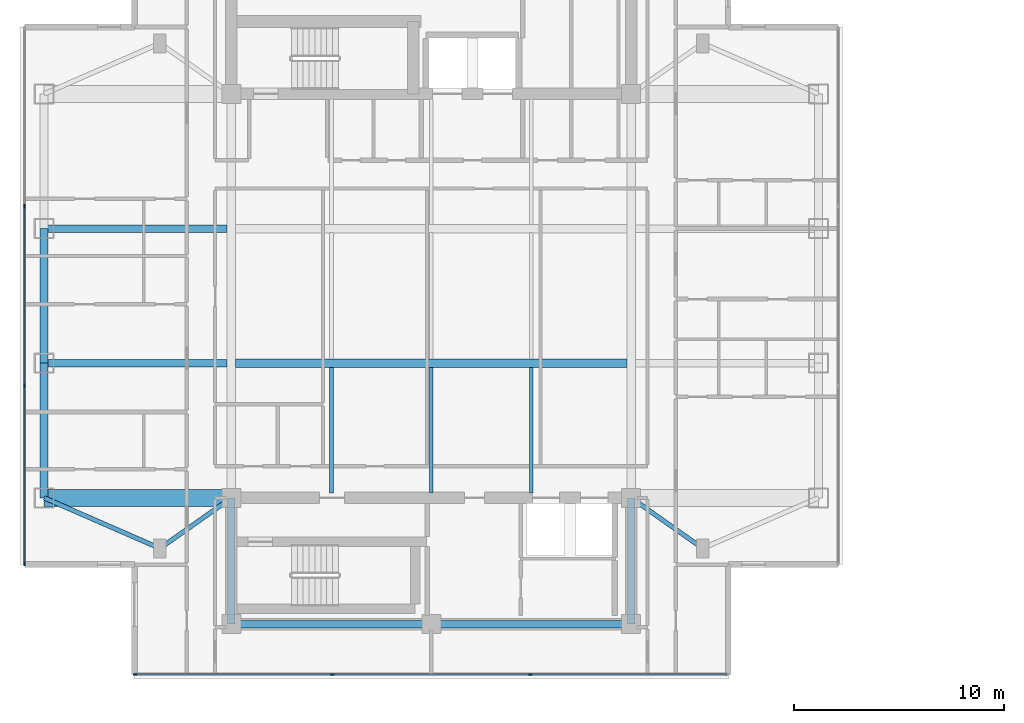
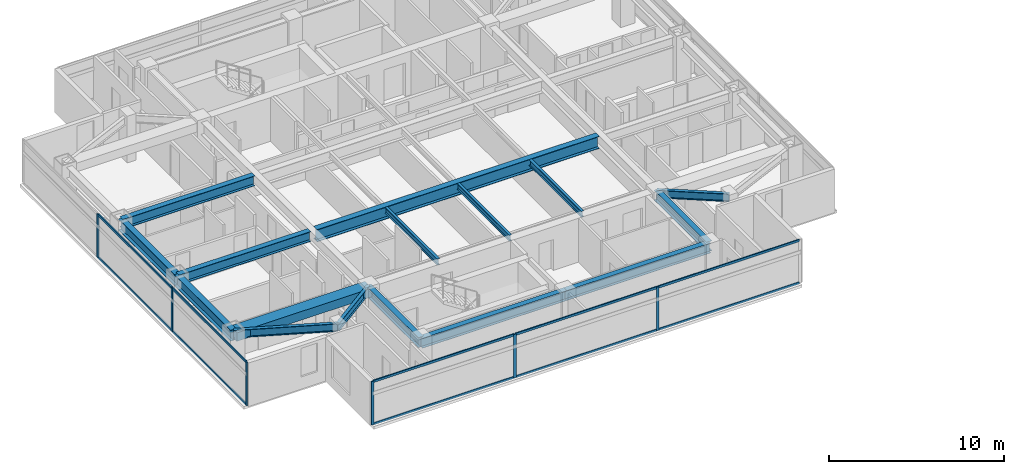
# One storey, part 2 of 23: 16 beams, 16 members, 2 elements without a shape of their own.
"""IFC4 building model written with IfcOpenShell, lengths in metres."""

import ifcopenshell
import ifcopenshell.guid

model = None  # the IFC model being written
_history = None  # IfcOwnerHistory: only IFC2X3 demands one
_inside = {}  # id of a spatial element -> (the spatial element, [elements in it])
_under = {}  # id of a project, library or spatial element -> (it, [spatial elements below it])
_declared = {}  # id of a project -> (the project, [libraries it declares])
_typed = {}  # id of a type object -> (the type object, [elements of that type])
_made_of = {}  # id of a material, layer set ... -> (it, [elements and type objects made of it])


def new_model(schema):
    """Start an empty IFC model of exactly this schema.

    Asked for "IFC4X3", IfcOpenShell would pick the latest addendum, in which some entities
    have other attributes; the version numbers below select the first issue.
    IFC2X3 requires an IfcOwnerHistory on every rooted entity: one is made here for all.
    """
    global model, _history
    if schema == "IFC4X3":
        model = ifcopenshell.file(schema_version=(4, 3, 0, 0))
    else:
        model = ifcopenshell.file(schema=schema)
    _inside.clear()
    _under.clear()
    _declared.clear()
    _typed.clear()
    _made_of.clear()
    _history = None
    if model.schema == "IFC2X3":
        org = make("IfcOrganization", Name="unknown")
        user = make(
            "IfcPersonAndOrganization",
            ThePerson=make("IfcPerson", FamilyName="unknown"),
            TheOrganization=org,
        )
        app = make(
            "IfcApplication",
            ApplicationDeveloper=org,
            Version="unknown",
            ApplicationFullName="unknown",
            ApplicationIdentifier="unknown",
        )
        _history = make(
            "IfcOwnerHistory",
            OwningUser=user,
            OwningApplication=app,
            ChangeAction="ADDED",
            CreationDate=0,
        )
    return model


def make(cls, **values):
    """One entity of the class cls with the attributes given. An attribute that is None is left unset."""
    return model.create_entity(
        cls, **{name: value for name, value in values.items() if value is not None}
    )


def rooted(cls, **values):
    """An entity with a GlobalId (a new one), such as an element, a storey or a relation."""
    return make(cls, GlobalId=ifcopenshell.guid.new(), OwnerHistory=_history, **values)


def si_unit(unit_type, name, prefix=None):
    """IfcSIUnit, for example si_unit("LENGTHUNIT", "METRE", prefix="MILLI")."""
    return make("IfcSIUnit", UnitType=unit_type, Prefix=prefix, Name=name)


def assignment(units):
    """IfcUnitAssignment: the units of a project."""
    return None if units is None else make("IfcUnitAssignment", Units=units)


def point(xyz):
    """IfcCartesianPoint."""
    return None if xyz is None else make("IfcCartesianPoint", Coordinates=xyz)


def direction(xyz):
    """IfcDirection."""
    return None if xyz is None else make("IfcDirection", DirectionRatios=xyz)


def frame(location, z_axis=None, x_axis=None):
    """IfcAxis2Placement3D, a coordinate frame: its origin and axes. An axis left out is left unset."""
    return make(
        "IfcAxis2Placement3D",
        Location=point(location),
        Axis=direction(z_axis),
        RefDirection=direction(x_axis),
    )


def frame_2d(location, x_axis=None):
    """IfcAxis2Placement2D, a coordinate frame in the plane: its origin and x axis."""
    return make(
        "IfcAxis2Placement2D", Location=point(location), RefDirection=direction(x_axis)
    )


def origin():
    """The frame at (0, 0, 0) with its axes left unset."""
    return frame((0.0, 0.0, 0.0))


def origin_2d():
    """The frame at (0, 0) in the plane with its x axis left unset."""
    return frame_2d((0.0, 0.0))


def place(relative_to, where):
    """IfcLocalPlacement: puts the frame where relative to a parent placement (None: the world)."""
    return make(
        "IfcLocalPlacement", PlacementRelTo=relative_to, RelativePlacement=where
    )


def context(
    kind, dimensions, precision=None, world=None, true_north=None, identifier=None
):
    """IfcGeometricRepresentationContext, for example the 3D "Model" context."""
    return make(
        "IfcGeometricRepresentationContext",
        ContextIdentifier=identifier,
        ContextType=kind,
        CoordinateSpaceDimension=dimensions,
        Precision=precision,
        WorldCoordinateSystem=world,
        TrueNorth=true_north,
    )


def subcontext(parent, identifier, kind, view, scale=None):
    """IfcGeometricRepresentationSubContext, for example "Body" below "Model"."""
    return make(
        "IfcGeometricRepresentationSubContext",
        ContextIdentifier=identifier,
        ContextType=kind,
        ParentContext=parent,
        TargetScale=scale,
        TargetView=view,
    )


def project(units=None, contexts=None):
    """IfcProject with its units and contexts."""
    return rooted(
        "IfcProject",
        Name="project",
        RepresentationContexts=contexts,
        UnitsInContext=assignment(units),
    )


def spatial(cls, under=None, at=None, **own):
    """A site, building, storey or space (cls), placed at a placement, below another one or the project."""
    s = rooted(cls, ObjectPlacement=at, **own)
    if under is not None:
        _under.setdefault(under.id(), (under, []))[1].append(s)
    return s


def profile(cls, at=None, kind="AREA", **sizes):
    """A parametric profile (cls). Its sizes go by their IFC names, for example OverallWidth=200.0."""
    return make(cls, ProfileType=kind, Position=at, **sizes)


def rectangle(**sizes):
    """IfcRectangleProfileDef."""
    return profile("IfcRectangleProfileDef", **sizes)


def i_section(**sizes):
    """IfcIShapeProfileDef."""
    return profile("IfcIShapeProfileDef", **sizes)


def extrude(swept, where, along, depth):
    """IfcExtrudedAreaSolid: the profile swept, set in the frame where, extruded along a direction by depth."""
    return make(
        "IfcExtrudedAreaSolid",
        SweptArea=swept,
        Position=where,
        ExtrudedDirection=direction(along),
        Depth=depth,
    )


def shape(context_of_items, identifier, shape_type, items):
    """IfcShapeRepresentation: the items that make up one representation, for example the "Body"."""
    return make(
        "IfcShapeRepresentation",
        ContextOfItems=context_of_items,
        RepresentationIdentifier=identifier,
        RepresentationType=shape_type,
        Items=items,
    )


def material(Name=None, Category=None):
    """IfcMaterial."""
    return make("IfcMaterial", Name=Name, Category=Category)


def material_profile(
    of_material, cross_section, Name=None, Category=None, Priority=None
):
    """IfcMaterialProfile: a cross section and its material."""
    return make(
        "IfcMaterialProfile",
        Name=Name,
        Material=of_material,
        Profile=cross_section,
        Priority=Priority,
        Category=Category,
    )


def profile_set(profiles, Name=None, composite=None):
    """IfcMaterialProfileSet."""
    return make(
        "IfcMaterialProfileSet",
        Name=Name,
        MaterialProfiles=profiles,
        CompositeProfile=composite,
    )


def made_of(thing, what):
    """Note that an element or type object is made of a material, layer set ...; save() writes the relation."""
    if what is not None:
        _made_of.setdefault(what.id(), (what, []))[1].append(thing)
    return thing


def type_object(cls, material=None, **own):
    """A type object (cls), such as IfcWallType, which elements share."""
    return made_of(rooted(cls, **own), material)


def element(
    cls,
    number,
    at=None,
    inside=None,
    cuts=None,
    type_object=None,
    material=None,
    context=None,
    identifier="Body",
    shape_type=None,
    held_by="IfcProductDefinitionShape",
    body=None,
    shapes=None,
    **own,
):
    """One element of the class cls, such as IfcWall. Its Tag is "e" and its number.

    at: its placement. inside: the storey or other place that contains it. cuts: it is an
    opening in that element (IfcRelVoidsElement). A single representation is given by context,
    identifier, shape_type and body (its items); several are given by shapes. held_by: the class
    of the entity that holds the representations. save() writes the other relations.
    """
    e = rooted(cls, Tag="e%d" % number, ObjectPlacement=at, **own)
    if body is not None:
        shapes = [shape(context, identifier, shape_type, body)]
    if shapes is not None:
        e.Representation = make(held_by, Representations=shapes)
    if inside is not None:
        _inside.setdefault(inside.id(), (inside, []))[1].append(e)
    if cuts is not None:
        rooted(
            "IfcRelVoidsElement", RelatingBuildingElement=cuts, RelatedOpeningElement=e
        )
    if type_object is not None:
        _typed.setdefault(type_object.id(), (type_object, []))[1].append(e)
    return made_of(e, material)


def aggregate(whole, parts):
    """IfcRelAggregates: a whole, such as a stair, and the parts it consists of."""
    return rooted("IfcRelAggregates", RelatingObject=whole, RelatedObjects=parts)


def save(model, path):
    """Write the relations noted so far, then the file.

    IfcRelAggregates (storeys below a building ...), IfcRelContainedInSpatialStructure (elements
    in a storey), IfcRelDefinesByType, IfcRelAssociatesMaterial and IfcRelDeclares: one each for
    every whole, place, type object, material and project.
    """
    for whole, parts in _under.values():
        aggregate(whole, parts)
    for where, things in _inside.values():
        rooted(
            "IfcRelContainedInSpatialStructure",
            RelatedElements=things,
            RelatingStructure=where,
        )
    for kind, things in _typed.values():
        rooted("IfcRelDefinesByType", RelatedObjects=things, RelatingType=kind)
    for what, things in _made_of.values():
        rooted("IfcRelAssociatesMaterial", RelatedObjects=things, RelatingMaterial=what)
    for by, libraries in _declared.values():
        rooted("IfcRelDeclares", RelatingContext=by, RelatedDefinitions=libraries)
    model.write(path)


model = new_model("IFC4")

# Units and contexts
model_context = context("Model", 3, precision=1e-05, world=origin(), true_north=direction((0.0, 1.0)))
body_context = subcontext(model_context, "Body", "Model", "MODEL_VIEW")
ifc_project = project(units=[si_unit("LENGTHUNIT", "METRE"), si_unit("AREAUNIT", "SQUARE_METRE"), si_unit("VOLUMEUNIT", "CUBIC_METRE"), si_unit("PLANEANGLEUNIT", "RADIAN"), si_unit("MASSUNIT", "GRAM", prefix="KILO")], contexts=[model_context])

# Site, building, storey
site_placement = place(None, origin())
site = spatial("IfcSite", under=ifc_project, at=site_placement, CompositionType="ELEMENT")
building_placement = place(site_placement, origin())
building = spatial("IfcBuilding", under=site, at=building_placement, Name="Mirazonda Arch Towers", CompositionType="ELEMENT")
storey_placement = place(building_placement, frame((0.0, 0.0, 183.64990234375)))
storey = spatial("IfcBuildingStorey", under=building, at=storey_placement, Name="L52", CompositionType="ELEMENT", Elevation=183.64990234375)

# Beams
ifc_material_1 = material(Name="Steel ASTM A992 Grade 50", Category="steel")
ifc_material_profile_1 = material_profile(ifc_material_1, i_section(OverallWidth=0.381103515625, OverallDepth=0.77294921875, WebThickness=0.0166015625, FlangeThickness=0.027099609375, at=origin_2d()), Name="W30X173")
ifc_profile_set_1 = profile_set([ifc_material_profile_1], Name="Steel ASTM A992 Grade 50")
beam_type_1 = type_object("IfcBeamType", Name="BM-EXT-W30X173", PredefinedType="USERDEFINED", material=ifc_profile_set_1)
beam_1_placement = place(storey_placement, frame((2.10009765625, 18.39990234375, 2.66357421875), z_axis=(0.0, 1.0, 0.0), x_axis=(-1.0, 0.0, 0.0)))
element("IfcBeam", 1, at=beam_1_placement, inside=storey, type_object=beam_type_1, Name="L52 Floor Beam BM-T1-L52-NS-W-18", ObjectType="GIRDER", PredefinedType="USERDEFINED", context=body_context, shape_type="SweptSolid", body=[
    extrude(i_section(OverallWidth=0.381103515625, OverallDepth=0.77294921875, WebThickness=0.0166015625, FlangeThickness=0.027099609375, at=origin_2d()), origin(), (0.0, 0.0, 1.0), 6.400146484375),
])
beam_2_placement = place(storey_placement, frame((2.10009765625, 24.800048828125, 2.66357421875), z_axis=(0.0, 1.0, 0.0), x_axis=(-1.0, 0.0, 0.0)))
element("IfcBeam", 2, at=beam_2_placement, inside=storey, type_object=beam_type_1, Name="L52 Floor Beam BM-T1-L52-NS-W-24", ObjectType="GIRDER", PredefinedType="USERDEFINED", context=body_context, shape_type="SweptSolid", body=[
    extrude(i_section(OverallWidth=0.381103515625, OverallDepth=0.77294921875, WebThickness=0.0166015625, FlangeThickness=0.027099609375, at=origin_2d()), origin(), (0.0, 0.0, 1.0), 6.39990234375),
])
ifc_material_profile_2 = material_profile(ifc_material_1, i_section(OverallWidth=0.180908203125, OverallDepth=0.4169921875, WebThickness=0.010986328125, FlangeThickness=0.018310546875, at=origin_2d()), Name="W16X57")
ifc_profile_set_2 = profile_set([ifc_material_profile_2], Name="Steel ASTM A992 Grade 50")
beam_type_2 = type_object("IfcBeamType", Name="BM-INT-W16X57", PredefinedType="JOIST", material=ifc_profile_set_2)
for number, where, z_axis, x_axis, name in (
    (3, (15.75, 18.639892578125, 2.841552734375), (0.0, 1.0, 0.0), (-1.0, 0.0, 0.0), "L52 Floor Beam BM-T1-L52-J-157-18"),
    (4, (20.5, 18.639892578125, 2.841552734375), (0.0, 1.0, 0.0), (-1.0, 0.0, 0.0), "L52 Floor Beam BM-T1-L52-J-205-18"),
    (5, (25.25, 18.639892578125, 2.841552734375), (0.0, 1.0, 0.0), (-1.0, 0.0, 0.0), "L52 Floor Beam BM-T1-L52-J-252-18"),
):
    element("IfcBeam", number, at=place(storey_placement, frame(where, z_axis=z_axis, x_axis=x_axis)), inside=storey, type_object=beam_type_2, Name=name, PredefinedType="JOIST", context=body_context, shape_type="SweptSolid", body=[
        extrude(i_section(OverallWidth=0.180908203125, OverallDepth=0.4169921875, WebThickness=0.010986328125, FlangeThickness=0.018310546875, at=origin_2d()), origin(), (0.0, 0.0, 1.0), 5.964111328125),
    ])
ifc_material_profile_3 = material_profile(ifc_material_1, i_section(OverallWidth=0.214111328125, OverallDepth=0.549072265625, WebThickness=0.0146484375, FlangeThickness=0.023681640625, at=origin_2d()), Name="W21X93")
ifc_profile_set_3 = profile_set([ifc_material_profile_3], Name="Steel ASTM A992 Grade 50")
beam_type_3 = type_object("IfcBeamType", Name="BM-INT-W21X93", PredefinedType="BEAM", material=ifc_profile_set_3)
beam_3_placement = place(storey_placement, frame((7.60009765625, 16.0, 2.775634765625), z_axis=(0.816971114901, 0.576678591087, 0.0), x_axis=(-0.576678591087, 0.816971114901, 0.0)))
element("IfcBeam", 6, at=beam_3_placement, inside=storey, type_object=beam_type_3, Name="L52 Floor Beam BM-T1-L52-PL-SW1", PredefinedType="BEAM", context=body_context, shape_type="SweptSolid", body=[
    extrude(i_section(OverallWidth=0.214111328125, OverallDepth=0.549072265625, WebThickness=0.0146484375, FlangeThickness=0.023681640625, at=origin_2d()), origin(), (0.0, 0.0, 1.0), 4.16162109375),
])
beam_4_placement = place(storey_placement, frame((7.60009765625, 16.0, 2.775634765625), z_axis=(-0.916545343703, 0.399930785183, 0.0), x_axis=(-0.399930785183, -0.916545343703, 0.0)))
element("IfcBeam", 7, at=beam_4_placement, inside=storey, type_object=beam_type_3, Name="L52 Floor Beam BM-T1-L52-PL-SW2", PredefinedType="BEAM", context=body_context, shape_type="SweptSolid", body=[
    extrude(i_section(OverallWidth=0.214111328125, OverallDepth=0.549072265625, WebThickness=0.0146484375, FlangeThickness=0.023681640625, at=origin_2d()), origin(), (0.0, 0.0, 1.0), 6.000732421875),
])
beam_5_placement = place(storey_placement, frame((33.39990234375, 16.0, 2.775634765625), z_axis=(-0.816971114901, 0.576678591087, 0.0), x_axis=(-0.576678591087, -0.816971114901, 0.0)))
element("IfcBeam", 8, at=beam_5_placement, inside=storey, type_object=beam_type_3, Name="L52 Floor Beam BM-T1-L52-PL-SE1", PredefinedType="BEAM", context=body_context, shape_type="SweptSolid", body=[
    extrude(i_section(OverallWidth=0.214111328125, OverallDepth=0.549072265625, WebThickness=0.0146484375, FlangeThickness=0.023681640625, at=origin_2d()), origin(), (0.0, 0.0, 1.0), 4.16162109375),
])
ifc_material_profile_4 = material_profile(ifc_material_1, i_section(OverallWidth=0.35498046875, OverallDepth=0.696044921875, WebThickness=0.015380859375, FlangeThickness=0.02490234375, at=origin_2d()), Name="W27X146")
ifc_profile_set_4 = profile_set([ifc_material_profile_4], Name="Steel ASTM A992 Grade 50")
beam_type_4 = type_object("IfcBeamType", Name="BM-INT-W27X146", PredefinedType="BEAM", material=ifc_profile_set_4)
for number, where, z_axis, x_axis, name in (
    (9, (2.10009765625, 24.800048828125, 2.7021484375), (1.0, 0.0, 0.0), (0.0, 1.0, 0.0), "L52 Floor Beam BM-T1-L52-GW2"),
    (10, (2.10009765625, 31.199951171875, 2.7021484375), (1.0, 0.0, 0.0), (0.0, 1.0, 0.0), "L52 Floor Beam BM-T1-L52-GW3"),
):
    element("IfcBeam", number, at=place(storey_placement, frame(where, z_axis=z_axis, x_axis=x_axis)), inside=storey, type_object=beam_type_4, Name=name, PredefinedType="BEAM", context=body_context, shape_type="SweptSolid", body=[
        extrude(i_section(OverallWidth=0.35498046875, OverallDepth=0.696044921875, WebThickness=0.015380859375, FlangeThickness=0.02490234375, at=origin_2d()), origin(), (0.0, 0.0, 1.0), 8.699951171875),
    ])
for number, where, z_axis, x_axis, name in (
    (11, (11.0, 12.39990234375, 2.7021484375), (1.0, 0.0, 0.0), (0.0, 1.0, 0.0), "L52 Floor Beam BM-T1-L52-CS1"),
    (12, (20.5, 12.39990234375, 2.7021484375), (1.0, 0.0, 0.0), (0.0, 1.0, 0.0), "L52 Floor Beam BM-T1-L52-CS2"),
):
    element("IfcBeam", number, at=place(storey_placement, frame(where, z_axis=z_axis, x_axis=x_axis)), inside=storey, type_object=beam_type_4, Name=name, PredefinedType="BEAM", context=body_context, shape_type="SweptSolid", body=[
        extrude(i_section(OverallWidth=0.35498046875, OverallDepth=0.696044921875, WebThickness=0.015380859375, FlangeThickness=0.02490234375, at=origin_2d()), origin(), (0.0, 0.0, 1.0), 9.5),
    ])
for number, where, z_axis, x_axis, name in (
    (13, (11.0, 12.39990234375, 2.7021484375), (0.0, 1.0, 0.0), (-1.0, 0.0, 0.0), "L52 Floor Beam BM-T1-L52-CSW"),
    (14, (30.0, 12.39990234375, 2.7021484375), (0.0, 1.0, 0.0), (-1.0, 0.0, 0.0), "L52 Floor Beam BM-T1-L52-CSE"),
):
    element("IfcBeam", number, at=place(storey_placement, frame(where, z_axis=z_axis, x_axis=x_axis)), inside=storey, type_object=beam_type_4, Name=name, PredefinedType="BEAM", context=body_context, shape_type="SweptSolid", body=[
        extrude(i_section(OverallWidth=0.35498046875, OverallDepth=0.696044921875, WebThickness=0.015380859375, FlangeThickness=0.02490234375, at=origin_2d()), origin(), (0.0, 0.0, 1.0), 6.0),
    ])
ifc_material_profile_5 = material_profile(ifc_material_1, i_section(OverallWidth=0.39990234375, OverallDepth=0.85595703125, WebThickness=0.018310546875, FlangeThickness=0.029296875, at=origin_2d()), Name="W33X201")
ifc_profile_set_5 = profile_set([ifc_material_profile_5], Name="Steel ASTM A992 Grade 50")
beam_type_5 = type_object("IfcBeamType", Name="BM-INT-W33X201", PredefinedType="USERDEFINED", material=ifc_profile_set_5)
beam_6_placement = place(storey_placement, frame((11.199951171875, 24.800048828125, 2.6220703125), z_axis=(1.0, 0.0, 0.0), x_axis=(0.0, 1.0, 0.0)))
element("IfcBeam", 15, at=beam_6_placement, inside=storey, type_object=beam_type_5, Name="L52 Floor Beam BM-T1-L52-GC2", ObjectType="GIRDER", PredefinedType="USERDEFINED", context=body_context, shape_type="SweptSolid", body=[
    extrude(i_section(OverallWidth=0.39990234375, OverallDepth=0.85595703125, WebThickness=0.018310546875, FlangeThickness=0.029296875, at=origin_2d()), origin(), (0.0, 0.0, 1.0), 18.60009765625),
])
ifc_material_2 = material(Name="Concrete C60/75", Category="concrete")
ifc_material_profile_6 = material_profile(ifc_material_2, rectangle(XDim=0.800048828125, YDim=0.60009765625, at=origin_2d()), Name="RCCB800x600")
ifc_profile_set_6 = profile_set([ifc_material_profile_6], Name="Concrete C60/75")
beam_type_6 = type_object("IfcBeamType", Name="CB-INT-RCCB800x600", PredefinedType="SPANDREL", material=ifc_profile_set_6)
beam_7_placement = place(storey_placement, frame((2.10009765625, 18.39990234375, 2.75), z_axis=(1.0, 0.0, 0.0), x_axis=(0.0, 1.0, 0.0)))
element("IfcBeam", 16, at=beam_7_placement, inside=storey, type_object=beam_type_6, Name="L52 Floor Beam CBC-T1-L52-SW", PredefinedType="SPANDREL", context=body_context, shape_type="SweptSolid", body=[
    extrude(rectangle(XDim=0.800048828125, YDim=0.60009765625, at=origin_2d()), origin(), (0.0, 0.0, 1.0), 8.89990234375),
])

# Curtain wall, members
ifc_material_3 = material(Name="Anodised Aluminium and Low-E Glass", Category="aluminium")
curtain_wall_type = type_object("IfcCurtainWallType", Name="CW-RES-UNIT", PredefinedType="NOTDEFINED", material=ifc_material_3)
curtain_wall_1_placement = place(storey_placement, origin())
curtain_wall_1 = element("IfcCurtainWall", 17, at=curtain_wall_1_placement, inside=storey, type_object=curtain_wall_type, Name="L52 T1 S Facade CW-L52-T1-S", PredefinedType="NOTDEFINED")
ifc_material_4 = material(Name="Anodised Aluminium Alloy", Category="aluminium")
ifc_material_profile_7 = material_profile(ifc_material_4, rectangle(XDim=0.074951171875, YDim=0.175048828125, at=origin_2d()), Name="ALU-MULL-75x175")
ifc_profile_set_7 = profile_set([ifc_material_profile_7], Name="Anodised Aluminium Alloy")
member_type_1 = type_object("IfcMemberType", Name="MULL-CW-RES-UNIT", PredefinedType="MULLION", material=ifc_profile_set_7)
member_1_placement = place(storey_placement, frame((25.205078125, 10.010009765625, 0.0), z_axis=(0.0, 0.0, 1.0), x_axis=(0.0, -1.0, 0.0)))
member_1 = element("IfcMember", 18, at=member_1_placement, type_object=member_type_1, Name="CW-104 mullion 2", PredefinedType="MULLION", context=body_context, shape_type="SweptSolid", body=[
    extrude(rectangle(XDim=0.074951171875, YDim=0.175048828125, at=origin_2d()), origin(), (0.0, 0.0, 1.0), 3.030029296875),
])
member_2_placement = place(storey_placement, frame((15.794921875, 10.010009765625, 0.0), z_axis=(0.0, 0.0, 1.0), x_axis=(0.0, -1.0, 0.0)))
member_2 = element("IfcMember", 19, at=member_2_placement, type_object=member_type_1, Name="CW-104 mullion 3", PredefinedType="MULLION", context=body_context, shape_type="SweptSolid", body=[
    extrude(rectangle(XDim=0.074951171875, YDim=0.175048828125, at=origin_2d()), origin(), (0.0, 0.0, 1.0), 3.030029296875),
])
member_3_placement = place(storey_placement, frame((6.422607421875, 10.010009765625, 0.0), z_axis=(0.0, 0.0, 1.0), x_axis=(0.0, -1.0, 0.0)))
member_3 = element("IfcMember", 20, at=member_3_placement, type_object=member_type_1, Name="CW-104 mullion 4", PredefinedType="MULLION", context=body_context, shape_type="SweptSolid", body=[
    extrude(rectangle(XDim=0.074951171875, YDim=0.175048828125, at=origin_2d()), origin(), (0.0, 0.0, 1.0), 3.030029296875),
])

curtain_wall_2_placement = place(storey_placement, origin())
curtain_wall_2 = element("IfcCurtainWall", 21, at=curtain_wall_2_placement, inside=storey, type_object=curtain_wall_type, Name="L52 T1 W Facade CW-L52-T1-W", PredefinedType="NOTDEFINED")
member_4_placement = place(storey_placement, frame((1.169921875, 32.25830078125, 0.0), z_axis=(0.0, 0.0, 1.0), x_axis=(1.0, 0.0, 0.0)))
member_4 = element("IfcMember", 22, at=member_4_placement, type_object=member_type_1, Name="CW-104 mullion 2", PredefinedType="MULLION", context=body_context, shape_type="SweptSolid", body=[
    extrude(rectangle(XDim=0.074951171875, YDim=0.175048828125, at=origin_2d()), origin(), (0.0, 0.0, 1.0), 3.030029296875),
])
member_5_placement = place(storey_placement, frame((1.169921875, 23.74169921875, 0.0), z_axis=(0.0, 0.0, 1.0), x_axis=(1.0, 0.0, 0.0)))
member_5 = element("IfcMember", 23, at=member_5_placement, type_object=member_type_1, Name="CW-104 mullion 3", PredefinedType="MULLION", context=body_context, shape_type="SweptSolid", body=[
    extrude(rectangle(XDim=0.074951171875, YDim=0.175048828125, at=origin_2d()), origin(), (0.0, 0.0, 1.0), 3.030029296875),
])
member_6_placement = place(storey_placement, frame((1.169921875, 15.262451171875, 0.0), z_axis=(0.0, 0.0, 1.0), x_axis=(1.0, 0.0, 0.0)))
member_6 = element("IfcMember", 24, at=member_6_placement, type_object=member_type_1, Name="CW-104 mullion 4", PredefinedType="MULLION", context=body_context, shape_type="SweptSolid", body=[
    extrude(rectangle(XDim=0.074951171875, YDim=0.175048828125, at=origin_2d()), origin(), (0.0, 0.0, 1.0), 3.030029296875),
])

# Member
ifc_material_profile_8 = material_profile(ifc_material_4, rectangle(XDim=0.074951171875, YDim=0.155029296875, at=origin_2d()), Name="ALU-TRAN-75x155")
ifc_profile_set_8 = profile_set([ifc_material_profile_8], Name="Anodised Aluminium Alloy")
member_type_2 = type_object("IfcMemberType", Name="TRAN-CW-RES-UNIT", PredefinedType="USERDEFINED", material=ifc_profile_set_8)
member_7_placement = place(storey_placement, frame((34.5400390625, 10.010009765625, 0.03759765625), z_axis=(-1.0, 0.0, 0.0), x_axis=(0.0, -1.0, 0.0)))
member_7 = element("IfcMember", 25, at=member_7_placement, type_object=member_type_2, Name="CW-104 transom 1.1", ObjectType="TRANSOM", PredefinedType="USERDEFINED", context=body_context, shape_type="SweptSolid", body=[
    extrude(rectangle(XDim=0.074951171875, YDim=0.155029296875, at=origin_2d()), origin(), (0.0, 0.0, 1.0), 9.297607421875),
])

member_8_placement = place(storey_placement, frame((34.5400390625, 10.010009765625, 2.99267578125), z_axis=(-1.0, 0.0, 0.0), x_axis=(0.0, -1.0, 0.0)))
member_8 = element("IfcMember", 26, at=member_8_placement, type_object=member_type_2, Name="CW-104 transom 1.2", ObjectType="TRANSOM", PredefinedType="USERDEFINED", context=body_context, shape_type="SweptSolid", body=[
    extrude(rectangle(XDim=0.074951171875, YDim=0.155029296875, at=origin_2d()), origin(), (0.0, 0.0, 1.0), 9.297607421875),
])

member_9_placement = place(storey_placement, frame((25.16748046875, 10.010009765625, 0.03759765625), z_axis=(-1.0, 0.0, 0.0), x_axis=(0.0, -1.0, 0.0)))
member_9 = element("IfcMember", 27, at=member_9_placement, type_object=member_type_2, Name="CW-104 transom 2.1", ObjectType="TRANSOM", PredefinedType="USERDEFINED", context=body_context, shape_type="SweptSolid", body=[
    extrude(rectangle(XDim=0.074951171875, YDim=0.155029296875, at=origin_2d()), origin(), (0.0, 0.0, 1.0), 9.3349609375),
])

member_10_placement = place(storey_placement, frame((25.16748046875, 10.010009765625, 2.99267578125), z_axis=(-1.0, 0.0, 0.0), x_axis=(0.0, -1.0, 0.0)))
member_10 = element("IfcMember", 28, at=member_10_placement, type_object=member_type_2, Name="CW-104 transom 2.2", ObjectType="TRANSOM", PredefinedType="USERDEFINED", context=body_context, shape_type="SweptSolid", body=[
    extrude(rectangle(XDim=0.074951171875, YDim=0.155029296875, at=origin_2d()), origin(), (0.0, 0.0, 1.0), 9.3349609375),
])

member_11_placement = place(storey_placement, frame((15.757568359375, 10.010009765625, 0.03759765625), z_axis=(-1.0, 0.0, 0.0), x_axis=(0.0, -1.0, 0.0)))
member_11 = element("IfcMember", 29, at=member_11_placement, type_object=member_type_2, Name="CW-104 transom 3.1", ObjectType="TRANSOM", PredefinedType="USERDEFINED", context=body_context, shape_type="SweptSolid", body=[
    extrude(rectangle(XDim=0.074951171875, YDim=0.155029296875, at=origin_2d()), origin(), (0.0, 0.0, 1.0), 9.297607421875),
])

member_12_placement = place(storey_placement, frame((15.757568359375, 10.010009765625, 2.99267578125), z_axis=(-1.0, 0.0, 0.0), x_axis=(0.0, -1.0, 0.0)))
member_12 = element("IfcMember", 30, at=member_12_placement, type_object=member_type_2, Name="CW-104 transom 3.2", ObjectType="TRANSOM", PredefinedType="USERDEFINED", context=body_context, shape_type="SweptSolid", body=[
    extrude(rectangle(XDim=0.074951171875, YDim=0.155029296875, at=origin_2d()), origin(), (0.0, 0.0, 1.0), 9.297607421875),
])

aggregate(curtain_wall_1, [member_1, member_2, member_3, member_7, member_8, member_9, member_10, member_11, member_12])

member_13_placement = place(storey_placement, frame((1.169921875, 32.220947265625, 0.03759765625), z_axis=(0.0, -1.0, 0.0), x_axis=(1.0, 0.0, 0.0)))
member_13 = element("IfcMember", 31, at=member_13_placement, type_object=member_type_2, Name="CW-104 transom 2.1", ObjectType="TRANSOM", PredefinedType="USERDEFINED", context=body_context, shape_type="SweptSolid", body=[
    extrude(rectangle(XDim=0.074951171875, YDim=0.155029296875, at=origin_2d()), origin(), (0.0, 0.0, 1.0), 8.44189453125),
])

member_14_placement = place(storey_placement, frame((1.169921875, 32.220947265625, 2.99267578125), z_axis=(0.0, -1.0, 0.0), x_axis=(1.0, 0.0, 0.0)))
member_14 = element("IfcMember", 32, at=member_14_placement, type_object=member_type_2, Name="CW-104 transom 2.2", ObjectType="TRANSOM", PredefinedType="USERDEFINED", context=body_context, shape_type="SweptSolid", body=[
    extrude(rectangle(XDim=0.074951171875, YDim=0.155029296875, at=origin_2d()), origin(), (0.0, 0.0, 1.0), 8.44189453125),
])

member_15_placement = place(storey_placement, frame((1.169921875, 23.7041015625, 0.03759765625), z_axis=(0.0, -1.0, 0.0), x_axis=(1.0, 0.0, 0.0)))
member_15 = element("IfcMember", 33, at=member_15_placement, type_object=member_type_2, Name="CW-104 transom 3.1", ObjectType="TRANSOM", PredefinedType="USERDEFINED", context=body_context, shape_type="SweptSolid", body=[
    extrude(rectangle(XDim=0.074951171875, YDim=0.155029296875, at=origin_2d()), origin(), (0.0, 0.0, 1.0), 8.404052734375),
])

member_16_placement = place(storey_placement, frame((1.169921875, 23.7041015625, 2.99267578125), z_axis=(0.0, -1.0, 0.0), x_axis=(1.0, 0.0, 0.0)))
member_16 = element("IfcMember", 34, at=member_16_placement, type_object=member_type_2, Name="CW-104 transom 3.2", ObjectType="TRANSOM", PredefinedType="USERDEFINED", context=body_context, shape_type="SweptSolid", body=[
    extrude(rectangle(XDim=0.074951171875, YDim=0.155029296875, at=origin_2d()), origin(), (0.0, 0.0, 1.0), 8.404052734375),
])

aggregate(curtain_wall_2, [member_4, member_5, member_6, member_13, member_14, member_15, member_16])

save(model, "model.ifc")
